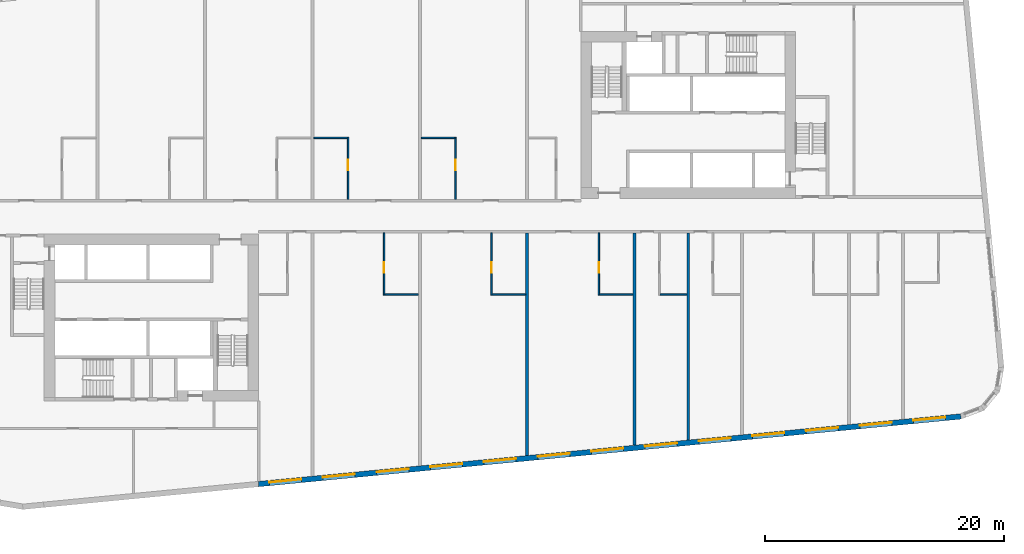
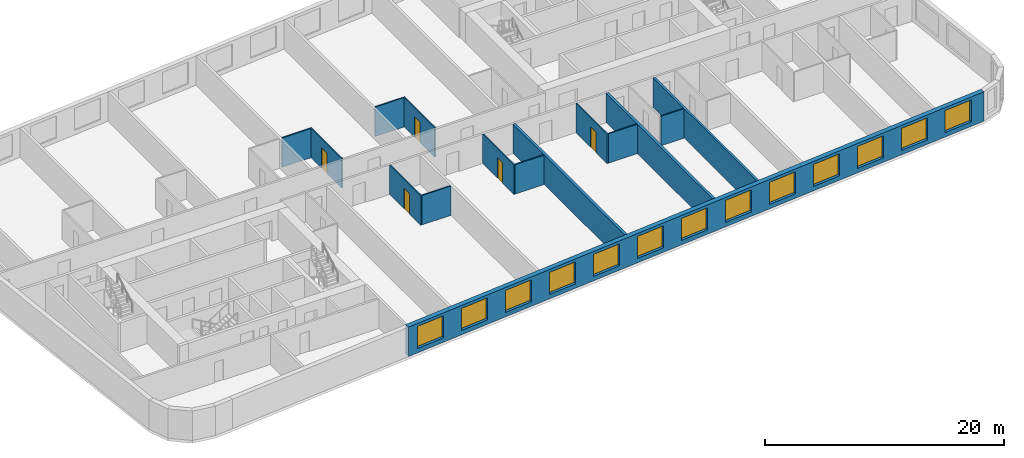
# One storey, part 4 of 12: 15 walls, 13 windows, 5 doors, 18 openings.
"""IFC4 building model written with IfcOpenShell, lengths in metres."""

from ifc_helpers import new_model, si_unit, direction, frame, frame_2d, origin, place, context, subcontext, project, spatial, rectangle, extrude, material, layer, layer_set, type_object, element, fill, save


model = new_model("IFC4")

# Units and contexts
model_context = context("Model", 3, precision=1e-05, world=origin(), true_north=direction((0.0, 1.0)))
body_context = subcontext(model_context, "Body", "Model", "MODEL_VIEW")
ifc_project = project(units=[si_unit("LENGTHUNIT", "METRE"), si_unit("AREAUNIT", "SQUARE_METRE"), si_unit("VOLUMEUNIT", "CUBIC_METRE"), si_unit("PLANEANGLEUNIT", "RADIAN"), si_unit("MASSUNIT", "GRAM", prefix="KILO")], contexts=[model_context])

# Site, building, storey
site_placement = place(None, origin())
site = spatial("IfcSite", under=ifc_project, at=site_placement, CompositionType="ELEMENT")
building_placement = place(site_placement, origin())
building = spatial("IfcBuilding", under=site, at=building_placement, Name="Kajstack Hotel Tower", CompositionType="ELEMENT")
storey_placement = place(building_placement, frame((0.0, 0.0, 147.10009765625)))
storey = spatial("IfcBuildingStorey", under=building, at=storey_placement, Name="L34", CompositionType="ELEMENT", Elevation=147.10009765625)

# Wall
ifc_material_1 = material(Name="Twin-frame gypsum board on steel studs, mineral wool", Category="steel")
ifc_layer_1 = layer(ifc_material_1, 0.199951171875)
ifc_layer_set_1 = layer_set([ifc_layer_1], Name="Demising wall 200")
wall_type_1 = type_object("IfcWallType", Name="Demising wall 200", PredefinedType="PARTITIONING", material=ifc_layer_set_1)
wall_1_placement = place(storey_placement, frame((22.5, -18.76611328125, 0.0), z_axis=(0.0, 0.0, 1.0), x_axis=(0.0, 1.0, 0.0)))
element("IfcWall", 1, at=wall_1_placement, inside=storey, type_object=wall_type_1, Name="G-wall-L34-027", PredefinedType="PARTITIONING", context=body_context, shape_type="SweptSolid", body=[
    extrude(rectangle(XDim=17.3662109375, YDim=0.199951171875, at=frame_2d((8.68310546875, 0.0))), origin(), (0.0, 0.0, 1.0), 3.0),
])

# Wall, openings, windows
ifc_material_2 = material(Name="Terracotta-faced brick masonry", Category="masonry")
ifc_layer_2 = layer(ifc_material_2, 0.449951171875)
ifc_layer_set_2 = layer_set([ifc_layer_2], Name="EW-TERRA")
wall_type_2 = type_object("IfcWallType", Name="EW-TERRA", PredefinedType="SOLIDWALL", material=ifc_layer_set_2)
wall_2_placement = place(storey_placement, frame((-13.521484375, -22.46044921875, 0.0), z_axis=(0.0, 0.0, 1.0), x_axis=(0.995396096335, 0.095846812164, 0.0)))
wall_2 = element("IfcWall", 2, at=wall_2_placement, inside=storey, type_object=wall_type_2, Name="E-wall-L34-04-02", PredefinedType="SOLIDWALL", context=body_context, shape_type="SweptSolid", body=[
    extrude(rectangle(XDim=59.15087890625, YDim=0.449951171875, at=frame_2d((29.575439453125, 0.0))), origin(), (0.0, 0.0, 1.0), 3.0),
])
opening_1_placement = place(wall_2_placement, frame((0.910400390625, 0.0, 0.449951171875)))
opening_1 = element("IfcOpeningElement", 3, at=opening_1_placement, cuts=wall_2, Name="Opening W1", PredefinedType="OPENING", context=body_context, shape_type="SweptSolid", body=[
    extrude(rectangle(XDim=2.699951171875, YDim=2.25, at=frame_2d((1.35009765625, 1.125))), frame((0.0, 0.23486328125, 0.0), z_axis=(0.0, -1.0, 0.0), x_axis=(1.0, 0.0, 0.0)), (0.0, 0.0, 1.0), 0.469970703125),
])
opening_2_placement = place(wall_2_placement, frame((5.43115234375, 0.0, 0.449951171875)))
opening_2 = element("IfcOpeningElement", 4, at=opening_2_placement, cuts=wall_2, Name="Opening W1", PredefinedType="OPENING", context=body_context, shape_type="SweptSolid", body=[
    extrude(rectangle(XDim=2.699951171875, YDim=2.25, at=frame_2d((1.35009765625, 1.125))), frame((0.0, 0.23486328125, 0.0), z_axis=(0.0, -1.0, 0.0), x_axis=(1.0, 0.0, 0.0)), (0.0, 0.0, 1.0), 0.469970703125),
])
opening_3_placement = place(wall_2_placement, frame((9.951904296875, 0.0, 0.449951171875)))
opening_3 = element("IfcOpeningElement", 5, at=opening_3_placement, cuts=wall_2, Name="Opening W1", PredefinedType="OPENING", context=body_context, shape_type="SweptSolid", body=[
    extrude(rectangle(XDim=2.699951171875, YDim=2.25, at=frame_2d((1.35009765625, 1.125))), frame((0.0, 0.23486328125, 0.0), z_axis=(0.0, -1.0, 0.0), x_axis=(1.0, 0.0, 0.0)), (0.0, 0.0, 1.0), 0.469970703125),
])
opening_4_placement = place(wall_2_placement, frame((14.472900390625, 0.0, 0.449951171875)))
opening_4 = element("IfcOpeningElement", 6, at=opening_4_placement, cuts=wall_2, Name="Opening W1", PredefinedType="OPENING", context=body_context, shape_type="SweptSolid", body=[
    extrude(rectangle(XDim=2.699951171875, YDim=2.25, at=frame_2d((1.35009765625, 1.125))), frame((0.0, 0.23486328125, 0.0), z_axis=(0.0, -1.0, 0.0), x_axis=(1.0, 0.0, 0.0)), (0.0, 0.0, 1.0), 0.469970703125),
])
opening_5_placement = place(wall_2_placement, frame((18.99365234375, 0.0, 0.449951171875)))
opening_5 = element("IfcOpeningElement", 7, at=opening_5_placement, cuts=wall_2, Name="Opening W1", PredefinedType="OPENING", context=body_context, shape_type="SweptSolid", body=[
    extrude(rectangle(XDim=2.699951171875, YDim=2.25, at=frame_2d((1.35009765625, 1.125))), frame((0.0, 0.23486328125, 0.0), z_axis=(0.0, -1.0, 0.0), x_axis=(1.0, 0.0, 0.0)), (0.0, 0.0, 1.0), 0.469970703125),
])
opening_6_placement = place(wall_2_placement, frame((23.514404296875, 0.0, 0.449951171875)))
opening_6 = element("IfcOpeningElement", 8, at=opening_6_placement, cuts=wall_2, Name="Opening W1", PredefinedType="OPENING", context=body_context, shape_type="SweptSolid", body=[
    extrude(rectangle(XDim=2.699951171875, YDim=2.25, at=frame_2d((1.35009765625, 1.125))), frame((0.0, 0.23486328125, 0.0), z_axis=(0.0, -1.0, 0.0), x_axis=(1.0, 0.0, 0.0)), (0.0, 0.0, 1.0), 0.469970703125),
])
opening_7_placement = place(wall_2_placement, frame((28.035400390625, 0.0, 0.449951171875)))
opening_7 = element("IfcOpeningElement", 9, at=opening_7_placement, cuts=wall_2, Name="Opening W1", PredefinedType="OPENING", context=body_context, shape_type="SweptSolid", body=[
    extrude(rectangle(XDim=2.699951171875, YDim=2.25, at=frame_2d((1.35009765625, 1.125))), frame((0.0, 0.23486328125, 0.0), z_axis=(0.0, -1.0, 0.0), x_axis=(1.0, 0.0, 0.0)), (0.0, 0.0, 1.0), 0.469970703125),
])
opening_8_placement = place(wall_2_placement, frame((32.55615234375, 0.0, 0.449951171875)))
opening_8 = element("IfcOpeningElement", 10, at=opening_8_placement, cuts=wall_2, Name="Opening W1", PredefinedType="OPENING", context=body_context, shape_type="SweptSolid", body=[
    extrude(rectangle(XDim=2.699951171875, YDim=2.25, at=frame_2d((1.35009765625, 1.125))), frame((0.0, 0.23486328125, 0.0), z_axis=(0.0, -1.0, 0.0), x_axis=(1.0, 0.0, 0.0)), (0.0, 0.0, 1.0), 0.469970703125),
])
opening_9_placement = place(wall_2_placement, frame((37.076904296875, 0.0, 0.449951171875)))
opening_9 = element("IfcOpeningElement", 11, at=opening_9_placement, cuts=wall_2, Name="Opening W1", PredefinedType="OPENING", context=body_context, shape_type="SweptSolid", body=[
    extrude(rectangle(XDim=2.699951171875, YDim=2.25, at=frame_2d((1.35009765625, 1.125))), frame((0.0, 0.23486328125, 0.0), z_axis=(0.0, -1.0, 0.0), x_axis=(1.0, 0.0, 0.0)), (0.0, 0.0, 1.0), 0.469970703125),
])
opening_10_placement = place(wall_2_placement, frame((41.59765625, 0.0, 0.449951171875)))
opening_10 = element("IfcOpeningElement", 12, at=opening_10_placement, cuts=wall_2, Name="Opening W1", PredefinedType="OPENING", context=body_context, shape_type="SweptSolid", body=[
    extrude(rectangle(XDim=2.699951171875, YDim=2.25, at=frame_2d((1.35009765625, 1.125))), frame((0.0, 0.23486328125, 0.0), z_axis=(0.0, -1.0, 0.0), x_axis=(1.0, 0.0, 0.0)), (0.0, 0.0, 1.0), 0.469970703125),
])
opening_11_placement = place(wall_2_placement, frame((46.118408203125, 0.0, 0.449951171875)))
opening_11 = element("IfcOpeningElement", 13, at=opening_11_placement, cuts=wall_2, Name="Opening W1", PredefinedType="OPENING", context=body_context, shape_type="SweptSolid", body=[
    extrude(rectangle(XDim=2.699951171875, YDim=2.25, at=frame_2d((1.35009765625, 1.125))), frame((0.0, 0.23486328125, 0.0), z_axis=(0.0, -1.0, 0.0), x_axis=(1.0, 0.0, 0.0)), (0.0, 0.0, 1.0), 0.469970703125),
])
opening_12_placement = place(wall_2_placement, frame((50.639404296875, 0.0, 0.449951171875)))
opening_12 = element("IfcOpeningElement", 14, at=opening_12_placement, cuts=wall_2, Name="Opening W1", PredefinedType="OPENING", context=body_context, shape_type="SweptSolid", body=[
    extrude(rectangle(XDim=2.699951171875, YDim=2.25, at=frame_2d((1.35009765625, 1.125))), frame((0.0, 0.23486328125, 0.0), z_axis=(0.0, -1.0, 0.0), x_axis=(1.0, 0.0, 0.0)), (0.0, 0.0, 1.0), 0.469970703125),
])
opening_13_placement = place(wall_2_placement, frame((55.149658203125, 0.0, 0.449951171875)))
opening_13 = element("IfcOpeningElement", 15, at=opening_13_placement, cuts=wall_2, Name="Opening W1", PredefinedType="OPENING", context=body_context, shape_type="SweptSolid", body=[
    extrude(rectangle(XDim=2.699951171875, YDim=2.25, at=frame_2d((1.35009765625, 1.125))), frame((0.0, 0.23486328125, 0.0), z_axis=(0.0, -1.0, 0.0), x_axis=(1.0, 0.0, 0.0)), (0.0, 0.0, 1.0), 0.469970703125),
])
ifc_material_3 = material(Name="Timber-aluminium window, triple glazed", Category="wood")
window_type = type_object("IfcWindowType", Name="WG1", PartitioningType="SINGLE_PANEL", PredefinedType="WINDOW", material=ifc_material_3)
window_1_placement = place(opening_1_placement, origin())
window_1 = element("IfcWindow", 16, at=window_1_placement, inside=storey, type_object=window_type, Name="Window W1 L34-04", OverallHeight=2.25, OverallWidth=2.699951171875, PartitioningType="SINGLE_PANEL", PredefinedType="WINDOW", context=body_context, shape_type="SweptSolid", body=[
    extrude(rectangle(XDim=2.699951171875, YDim=2.25, at=frame_2d((1.35009765625, 1.125))), frame((0.0, 0.090087890625, 0.0), z_axis=(0.0, -1.0, 0.0), x_axis=(1.0, 0.0, 0.0)), (0.0, 0.0, 1.0), 0.06005859375),
])
fill(opening_1, window_1)
window_2_placement = place(opening_2_placement, origin())
window_2 = element("IfcWindow", 17, at=window_2_placement, inside=storey, type_object=window_type, Name="Window W1 L34-04", OverallHeight=2.25, OverallWidth=2.699951171875, PartitioningType="SINGLE_PANEL", PredefinedType="WINDOW", context=body_context, shape_type="SweptSolid", body=[
    extrude(rectangle(XDim=2.699951171875, YDim=2.25, at=frame_2d((1.35009765625, 1.125))), frame((0.0, 0.090087890625, 0.0), z_axis=(0.0, -1.0, 0.0), x_axis=(1.0, 0.0, 0.0)), (0.0, 0.0, 1.0), 0.06005859375),
])
fill(opening_2, window_2)
window_3_placement = place(opening_3_placement, origin())
window_3 = element("IfcWindow", 18, at=window_3_placement, inside=storey, type_object=window_type, Name="Window W1 L34-04", OverallHeight=2.25, OverallWidth=2.699951171875, PartitioningType="SINGLE_PANEL", PredefinedType="WINDOW", context=body_context, shape_type="SweptSolid", body=[
    extrude(rectangle(XDim=2.699951171875, YDim=2.25, at=frame_2d((1.35009765625, 1.125))), frame((0.0, 0.090087890625, 0.0), z_axis=(0.0, -1.0, 0.0), x_axis=(1.0, 0.0, 0.0)), (0.0, 0.0, 1.0), 0.06005859375),
])
fill(opening_3, window_3)
window_4_placement = place(opening_4_placement, origin())
window_4 = element("IfcWindow", 19, at=window_4_placement, inside=storey, type_object=window_type, Name="Window W1 L34-04", OverallHeight=2.25, OverallWidth=2.699951171875, PartitioningType="SINGLE_PANEL", PredefinedType="WINDOW", context=body_context, shape_type="SweptSolid", body=[
    extrude(rectangle(XDim=2.699951171875, YDim=2.25, at=frame_2d((1.35009765625, 1.125))), frame((0.0, 0.090087890625, 0.0), z_axis=(0.0, -1.0, 0.0), x_axis=(1.0, 0.0, 0.0)), (0.0, 0.0, 1.0), 0.06005859375),
])
fill(opening_4, window_4)
window_5_placement = place(opening_5_placement, origin())
window_5 = element("IfcWindow", 20, at=window_5_placement, inside=storey, type_object=window_type, Name="Window W1 L34-04", OverallHeight=2.25, OverallWidth=2.699951171875, PartitioningType="SINGLE_PANEL", PredefinedType="WINDOW", context=body_context, shape_type="SweptSolid", body=[
    extrude(rectangle(XDim=2.699951171875, YDim=2.25, at=frame_2d((1.35009765625, 1.125))), frame((0.0, 0.090087890625, 0.0), z_axis=(0.0, -1.0, 0.0), x_axis=(1.0, 0.0, 0.0)), (0.0, 0.0, 1.0), 0.06005859375),
])
fill(opening_5, window_5)
window_6_placement = place(opening_6_placement, origin())
window_6 = element("IfcWindow", 21, at=window_6_placement, inside=storey, type_object=window_type, Name="Window W1 L34-04", OverallHeight=2.25, OverallWidth=2.699951171875, PartitioningType="SINGLE_PANEL", PredefinedType="WINDOW", context=body_context, shape_type="SweptSolid", body=[
    extrude(rectangle(XDim=2.699951171875, YDim=2.25, at=frame_2d((1.35009765625, 1.125))), frame((0.0, 0.090087890625, 0.0), z_axis=(0.0, -1.0, 0.0), x_axis=(1.0, 0.0, 0.0)), (0.0, 0.0, 1.0), 0.06005859375),
])
fill(opening_6, window_6)
window_7_placement = place(opening_7_placement, origin())
window_7 = element("IfcWindow", 22, at=window_7_placement, inside=storey, type_object=window_type, Name="Window W1 L34-04", OverallHeight=2.25, OverallWidth=2.699951171875, PartitioningType="SINGLE_PANEL", PredefinedType="WINDOW", context=body_context, shape_type="SweptSolid", body=[
    extrude(rectangle(XDim=2.699951171875, YDim=2.25, at=frame_2d((1.35009765625, 1.125))), frame((0.0, 0.090087890625, 0.0), z_axis=(0.0, -1.0, 0.0), x_axis=(1.0, 0.0, 0.0)), (0.0, 0.0, 1.0), 0.06005859375),
])
fill(opening_7, window_7)
window_8_placement = place(opening_8_placement, origin())
window_8 = element("IfcWindow", 23, at=window_8_placement, inside=storey, type_object=window_type, Name="Window W1 L34-04", OverallHeight=2.25, OverallWidth=2.699951171875, PartitioningType="SINGLE_PANEL", PredefinedType="WINDOW", context=body_context, shape_type="SweptSolid", body=[
    extrude(rectangle(XDim=2.699951171875, YDim=2.25, at=frame_2d((1.35009765625, 1.125))), frame((0.0, 0.090087890625, 0.0), z_axis=(0.0, -1.0, 0.0), x_axis=(1.0, 0.0, 0.0)), (0.0, 0.0, 1.0), 0.06005859375),
])
fill(opening_8, window_8)
window_9_placement = place(opening_9_placement, origin())
window_9 = element("IfcWindow", 24, at=window_9_placement, inside=storey, type_object=window_type, Name="Window W1 L34-04", OverallHeight=2.25, OverallWidth=2.699951171875, PartitioningType="SINGLE_PANEL", PredefinedType="WINDOW", context=body_context, shape_type="SweptSolid", body=[
    extrude(rectangle(XDim=2.699951171875, YDim=2.25, at=frame_2d((1.35009765625, 1.125))), frame((0.0, 0.090087890625, 0.0), z_axis=(0.0, -1.0, 0.0), x_axis=(1.0, 0.0, 0.0)), (0.0, 0.0, 1.0), 0.06005859375),
])
fill(opening_9, window_9)
window_10_placement = place(opening_10_placement, origin())
window_10 = element("IfcWindow", 25, at=window_10_placement, inside=storey, type_object=window_type, Name="Window W1 L34-04", OverallHeight=2.25, OverallWidth=2.699951171875, PartitioningType="SINGLE_PANEL", PredefinedType="WINDOW", context=body_context, shape_type="SweptSolid", body=[
    extrude(rectangle(XDim=2.699951171875, YDim=2.25, at=frame_2d((1.35009765625, 1.125))), frame((0.0, 0.090087890625, 0.0), z_axis=(0.0, -1.0, 0.0), x_axis=(1.0, 0.0, 0.0)), (0.0, 0.0, 1.0), 0.06005859375),
])
fill(opening_10, window_10)
window_11_placement = place(opening_11_placement, origin())
window_11 = element("IfcWindow", 26, at=window_11_placement, inside=storey, type_object=window_type, Name="Window W1 L34-04", OverallHeight=2.25, OverallWidth=2.699951171875, PartitioningType="SINGLE_PANEL", PredefinedType="WINDOW", context=body_context, shape_type="SweptSolid", body=[
    extrude(rectangle(XDim=2.699951171875, YDim=2.25, at=frame_2d((1.35009765625, 1.125))), frame((0.0, 0.090087890625, 0.0), z_axis=(0.0, -1.0, 0.0), x_axis=(1.0, 0.0, 0.0)), (0.0, 0.0, 1.0), 0.06005859375),
])
fill(opening_11, window_11)
window_12_placement = place(opening_12_placement, origin())
window_12 = element("IfcWindow", 27, at=window_12_placement, inside=storey, type_object=window_type, Name="Window W1 L34-04", OverallHeight=2.25, OverallWidth=2.699951171875, PartitioningType="SINGLE_PANEL", PredefinedType="WINDOW", context=body_context, shape_type="SweptSolid", body=[
    extrude(rectangle(XDim=2.699951171875, YDim=2.25, at=frame_2d((1.35009765625, 1.125))), frame((0.0, 0.090087890625, 0.0), z_axis=(0.0, -1.0, 0.0), x_axis=(1.0, 0.0, 0.0)), (0.0, 0.0, 1.0), 0.06005859375),
])
fill(opening_12, window_12)
window_13_placement = place(opening_13_placement, origin())
window_13 = element("IfcWindow", 28, at=window_13_placement, inside=storey, type_object=window_type, Name="Window W1 L34-04", OverallHeight=2.25, OverallWidth=2.699951171875, PartitioningType="SINGLE_PANEL", PredefinedType="WINDOW", context=body_context, shape_type="SweptSolid", body=[
    extrude(rectangle(XDim=2.699951171875, YDim=2.25, at=frame_2d((1.35009765625, 1.125))), frame((0.0, 0.090087890625, 0.0), z_axis=(0.0, -1.0, 0.0), x_axis=(1.0, 0.0, 0.0)), (0.0, 0.0, 1.0), 0.06005859375),
])
fill(opening_13, window_13)

# Wall, opening, door
ifc_material_4 = material(Name="Gypsum board and tiled backer on steel studs", Category="steel")
ifc_layer_3 = layer(ifc_material_4, 0.125)
ifc_layer_set_3 = layer_set([ifc_layer_3], Name="En-suite wall 125")
wall_type_3 = type_object("IfcWallType", Name="En-suite wall 125", PredefinedType="PARTITIONING", material=ifc_layer_set_3)
wall_3_placement = place(storey_placement, frame((-6.012939453125, 1.39990234375, 0.0), z_axis=(0.0, 0.0, 1.0), x_axis=(0.0, 1.0, 0.0)))
wall_3 = element("IfcWall", 29, at=wall_3_placement, inside=storey, type_object=wall_type_3, Name="G-wall-L34-012", PredefinedType="PARTITIONING", context=body_context, shape_type="SweptSolid", body=[
    extrude(rectangle(XDim=5.22509765625, YDim=0.125, at=frame_2d((2.612548828125, 0.0))), origin(), (0.0, 0.0, 1.0), 3.0),
])
opening_14_placement = place(wall_3_placement, frame((2.449951171875, 0.0, 0.0)))
opening_14 = element("IfcOpeningElement", 30, at=opening_14_placement, cuts=wall_3, Name="Opening 34010", PredefinedType="OPENING", context=body_context, shape_type="SweptSolid", body=[
    extrude(rectangle(XDim=0.89990234375, YDim=2.10009765625, at=frame_2d((0.449951171875, 1.050048828125))), frame((0.0, 0.072509765625, 0.0), z_axis=(0.0, -1.0, 0.0), x_axis=(1.0, 0.0, 0.0)), (0.0, 0.0, 1.0), 0.14501953125),
])
ifc_material_5 = material(Name="Painted timber door leaf", Category="wood")
door_type = type_object("IfcDoorType", Name="Room door 900", OperationType="SINGLE_SWING_LEFT", PredefinedType="DOOR", material=ifc_material_5)
door_1_placement = place(opening_14_placement, origin())
door_1 = element("IfcDoor", 31, at=door_1_placement, inside=storey, type_object=door_type, Name="G-door-L34-10", OperationType="SINGLE_SWING_RIGHT", OverallHeight=2.10009765625, OverallWidth=0.89990234375, PredefinedType="DOOR", context=body_context, shape_type="SweptSolid", body=[
    extrude(rectangle(XDim=0.89990234375, YDim=2.10009765625, at=frame_2d((0.449951171875, 1.050048828125))), frame((0.0, 0.02490234375, 0.0), z_axis=(0.0, -1.0, 0.0), x_axis=(1.0, 0.0, 0.0)), (0.0, 0.0, 1.0), 0.050048828125),
])
fill(opening_14, door_1)

# Wall
wall_4_placement = place(storey_placement, frame((-8.875, 6.56201171875, 0.0), z_axis=(0.0, 0.0, 1.0), x_axis=(1.0, 0.0, 0.0)))
element("IfcWall", 32, at=wall_4_placement, inside=storey, type_object=wall_type_3, Name="G-wall-L34-013", PredefinedType="PARTITIONING", context=body_context, shape_type="SweptSolid", body=[
    extrude(rectangle(XDim=2.800048828125, YDim=0.125, at=frame_2d((1.39990234375, 0.0))), origin(), (0.0, 0.0, 1.0), 3.0),
])

# Wall, opening, door
wall_5_placement = place(storey_placement, frame((2.987060546875, 1.39990234375, 0.0), z_axis=(0.0, 0.0, 1.0), x_axis=(0.0, 1.0, 0.0)))
wall_5 = element("IfcWall", 33, at=wall_5_placement, inside=storey, type_object=wall_type_3, Name="G-wall-L34-014", PredefinedType="PARTITIONING", context=body_context, shape_type="SweptSolid", body=[
    extrude(rectangle(XDim=5.22509765625, YDim=0.125, at=frame_2d((2.612548828125, 0.0))), origin(), (0.0, 0.0, 1.0), 3.0),
])
opening_15_placement = place(wall_5_placement, frame((2.449951171875, 0.0, 0.0)))
opening_15 = element("IfcOpeningElement", 34, at=opening_15_placement, cuts=wall_5, Name="Opening 34012", PredefinedType="OPENING", context=body_context, shape_type="SweptSolid", body=[
    extrude(rectangle(XDim=0.89990234375, YDim=2.10009765625, at=frame_2d((0.449951171875, 1.050048828125))), frame((0.0, 0.072509765625, 0.0), z_axis=(0.0, -1.0, 0.0), x_axis=(1.0, 0.0, 0.0)), (0.0, 0.0, 1.0), 0.14501953125),
])
door_2_placement = place(opening_15_placement, origin())
door_2 = element("IfcDoor", 35, at=door_2_placement, inside=storey, type_object=door_type, Name="G-door-L34-12", OperationType="SINGLE_SWING_LEFT", OverallHeight=2.10009765625, OverallWidth=0.89990234375, PredefinedType="DOOR", context=body_context, shape_type="SweptSolid", body=[
    extrude(rectangle(XDim=0.89990234375, YDim=2.10009765625, at=frame_2d((0.449951171875, 1.050048828125))), frame((0.0, 0.02490234375, 0.0), z_axis=(0.0, -1.0, 0.0), x_axis=(1.0, 0.0, 0.0)), (0.0, 0.0, 1.0), 0.050048828125),
])
fill(opening_15, door_2)

# Wall
wall_6_placement = place(storey_placement, frame((0.125, 6.56201171875, 0.0), z_axis=(0.0, 0.0, 1.0), x_axis=(1.0, 0.0, 0.0)))
element("IfcWall", 36, at=wall_6_placement, inside=storey, type_object=wall_type_3, Name="G-wall-L34-015", PredefinedType="PARTITIONING", context=body_context, shape_type="SweptSolid", body=[
    extrude(rectangle(XDim=2.800048828125, YDim=0.125, at=frame_2d((1.39990234375, 0.0))), origin(), (0.0, 0.0, 1.0), 3.0),
])

# Wall, opening, door
wall_7_placement = place(storey_placement, frame((-2.987060546875, -6.625, 0.0), z_axis=(0.0, 0.0, 1.0), x_axis=(0.0, 1.0, 0.0)))
wall_7 = element("IfcWall", 37, at=wall_7_placement, inside=storey, type_object=wall_type_3, Name="G-wall-L34-021", PredefinedType="PARTITIONING", context=body_context, shape_type="SweptSolid", body=[
    extrude(rectangle(XDim=5.22509765625, YDim=0.125, at=frame_2d((2.612548828125, 0.0))), origin(), (0.0, 0.0, 1.0), 3.0),
])
opening_16_placement = place(wall_7_placement, frame((1.875, 0.0, 0.0)))
opening_16 = element("IfcOpeningElement", 38, at=opening_16_placement, cuts=wall_7, Name="Opening 34018", PredefinedType="OPENING", context=body_context, shape_type="SweptSolid", body=[
    extrude(rectangle(XDim=0.89990234375, YDim=2.10009765625, at=frame_2d((0.449951171875, 1.050048828125))), frame((0.0, 0.072509765625, 0.0), z_axis=(0.0, -1.0, 0.0), x_axis=(1.0, 0.0, 0.0)), (0.0, 0.0, 1.0), 0.14501953125),
])
door_3_placement = place(opening_16_placement, origin())
door_3 = element("IfcDoor", 39, at=door_3_placement, inside=storey, type_object=door_type, Name="G-door-L34-18", OperationType="SINGLE_SWING_LEFT", OverallHeight=2.10009765625, OverallWidth=0.89990234375, PredefinedType="DOOR", context=body_context, shape_type="SweptSolid", body=[
    extrude(rectangle(XDim=0.89990234375, YDim=2.10009765625, at=frame_2d((0.449951171875, 1.050048828125))), frame((0.0, 0.02490234375, 0.0), z_axis=(0.0, -1.0, 0.0), x_axis=(1.0, 0.0, 0.0)), (0.0, 0.0, 1.0), 0.050048828125),
])
fill(opening_16, door_3)

# Wall
wall_8_placement = place(storey_placement, frame((-2.925048828125, -6.56201171875, 0.0), z_axis=(0.0, 0.0, 1.0), x_axis=(1.0, 0.0, 0.0)))
element("IfcWall", 40, at=wall_8_placement, inside=storey, type_object=wall_type_3, Name="G-wall-L34-022", PredefinedType="PARTITIONING", context=body_context, shape_type="SweptSolid", body=[
    extrude(rectangle(XDim=2.800048828125, YDim=0.125, at=frame_2d((1.39990234375, 0.0))), origin(), (0.0, 0.0, 1.0), 3.0),
])

# Wall, opening, door
wall_9_placement = place(storey_placement, frame((6.012939453125, -6.625, 0.0), z_axis=(0.0, 0.0, 1.0), x_axis=(0.0, 1.0, 0.0)))
wall_9 = element("IfcWall", 41, at=wall_9_placement, inside=storey, type_object=wall_type_3, Name="G-wall-L34-023", PredefinedType="PARTITIONING", context=body_context, shape_type="SweptSolid", body=[
    extrude(rectangle(XDim=5.22509765625, YDim=0.125, at=frame_2d((2.612548828125, 0.0))), origin(), (0.0, 0.0, 1.0), 3.0),
])
opening_17_placement = place(wall_9_placement, frame((1.875, 0.0, 0.0)))
opening_17 = element("IfcOpeningElement", 42, at=opening_17_placement, cuts=wall_9, Name="Opening 34020", PredefinedType="OPENING", context=body_context, shape_type="SweptSolid", body=[
    extrude(rectangle(XDim=0.89990234375, YDim=2.10009765625, at=frame_2d((0.449951171875, 1.050048828125))), frame((0.0, 0.072509765625, 0.0), z_axis=(0.0, -1.0, 0.0), x_axis=(1.0, 0.0, 0.0)), (0.0, 0.0, 1.0), 0.14501953125),
])
door_4_placement = place(opening_17_placement, origin())
door_4 = element("IfcDoor", 43, at=door_4_placement, inside=storey, type_object=door_type, Name="G-door-L34-20", OperationType="SINGLE_SWING_RIGHT", OverallHeight=2.10009765625, OverallWidth=0.89990234375, PredefinedType="DOOR", context=body_context, shape_type="SweptSolid", body=[
    extrude(rectangle(XDim=0.89990234375, YDim=2.10009765625, at=frame_2d((0.449951171875, 1.050048828125))), frame((0.0, 0.02490234375, 0.0), z_axis=(0.0, -1.0, 0.0), x_axis=(1.0, 0.0, 0.0)), (0.0, 0.0, 1.0), 0.050048828125),
])
fill(opening_17, door_4)

# Wall
wall_10_placement = place(storey_placement, frame((6.074951171875, -6.56201171875, 0.0), z_axis=(0.0, 0.0, 1.0), x_axis=(1.0, 0.0, 0.0)))
element("IfcWall", 44, at=wall_10_placement, inside=storey, type_object=wall_type_3, Name="G-wall-L34-024", PredefinedType="PARTITIONING", context=body_context, shape_type="SweptSolid", body=[
    extrude(rectangle(XDim=2.800048828125, YDim=0.125, at=frame_2d((1.39990234375, 0.0))), origin(), (0.0, 0.0, 1.0), 3.0),
])

# Wall, opening, door
wall_11_placement = place(storey_placement, frame((15.011962890625, -6.625, 0.0), z_axis=(0.0, 0.0, 1.0), x_axis=(0.0, 1.0, 0.0)))
wall_11 = element("IfcWall", 45, at=wall_11_placement, inside=storey, type_object=wall_type_3, Name="G-wall-L34-025", PredefinedType="PARTITIONING", context=body_context, shape_type="SweptSolid", body=[
    extrude(rectangle(XDim=5.22509765625, YDim=0.125, at=frame_2d((2.612548828125, 0.0))), origin(), (0.0, 0.0, 1.0), 3.0),
])
opening_18_placement = place(wall_11_placement, frame((1.875, 0.0, 0.0)))
opening_18 = element("IfcOpeningElement", 46, at=opening_18_placement, cuts=wall_11, Name="Opening 34022", PredefinedType="OPENING", context=body_context, shape_type="SweptSolid", body=[
    extrude(rectangle(XDim=0.89990234375, YDim=2.10009765625, at=frame_2d((0.449951171875, 1.050048828125))), frame((0.0, 0.072509765625, 0.0), z_axis=(0.0, -1.0, 0.0), x_axis=(1.0, 0.0, 0.0)), (0.0, 0.0, 1.0), 0.14501953125),
])
door_5_placement = place(opening_18_placement, origin())
door_5 = element("IfcDoor", 47, at=door_5_placement, inside=storey, type_object=door_type, Name="G-door-L34-22", OperationType="SINGLE_SWING_LEFT", OverallHeight=2.10009765625, OverallWidth=0.89990234375, PredefinedType="DOOR", context=body_context, shape_type="SweptSolid", body=[
    extrude(rectangle(XDim=0.89990234375, YDim=2.10009765625, at=frame_2d((0.449951171875, 1.050048828125))), frame((0.0, 0.02490234375, 0.0), z_axis=(0.0, -1.0, 0.0), x_axis=(1.0, 0.0, 0.0)), (0.0, 0.0, 1.0), 0.050048828125),
])
fill(opening_18, door_5)

# Walls
wall_12_placement = place(storey_placement, frame((15.074951171875, -6.56201171875, 0.0), z_axis=(0.0, 0.0, 1.0), x_axis=(1.0, 0.0, 0.0)))
element("IfcWall", 48, at=wall_12_placement, inside=storey, type_object=wall_type_3, Name="G-wall-L34-026", PredefinedType="PARTITIONING", context=body_context, shape_type="SweptSolid", body=[
    extrude(rectangle(XDim=2.800048828125, YDim=0.125, at=frame_2d((1.39990234375, 0.0))), origin(), (0.0, 0.0, 1.0), 3.0),
])
wall_13_placement = place(storey_placement, frame((20.14990234375, -6.56201171875, 0.0), z_axis=(0.0, 0.0, 1.0), x_axis=(1.0, 0.0, 0.0)))
element("IfcWall", 49, at=wall_13_placement, inside=storey, type_object=wall_type_3, Name="G-wall-L34-029", PredefinedType="PARTITIONING", context=body_context, shape_type="SweptSolid", body=[
    extrude(rectangle(XDim=2.25, YDim=0.125, at=frame_2d((1.125, 0.0))), origin(), (0.0, 0.0, 1.0), 3.0),
])
ifc_material_6 = material(Name="Concrete C55/67", Category="concrete")
ifc_layer_4 = layer(ifc_material_6, 0.25)
ifc_layer_set_4 = layer_set([ifc_layer_4], Name="RC cross wall 250 C55/67")
wall_type_4 = type_object("IfcWallType", Name="RC cross wall 250 C55/67", PredefinedType="SHEAR", material=ifc_layer_set_4)
wall_14_placement = place(storey_placement, frame((9.0, -20.043701171875, 0.0), z_axis=(0.0, 0.0, 1.0), x_axis=(0.0, 1.0, 0.0)))
element("IfcWall", 50, at=wall_14_placement, inside=storey, type_object=wall_type_4, Name="S-wall-L34-08", PredefinedType="SHEAR", context=body_context, shape_type="SweptSolid", body=[
    extrude(rectangle(XDim=18.643798828125, YDim=0.25, at=frame_2d((9.32177734375, 0.0))), origin(), (0.0, 0.0, 1.0), 3.0),
])
wall_15_placement = place(storey_placement, frame((18.0, -19.17724609375, 0.0), z_axis=(0.0, 0.0, 1.0), x_axis=(0.0, 1.0, 0.0)))
element("IfcWall", 51, at=wall_15_placement, inside=storey, type_object=wall_type_4, Name="S-wall-L34-10", PredefinedType="SHEAR", context=body_context, shape_type="SweptSolid", body=[
    extrude(rectangle(XDim=17.77734375, YDim=0.25, at=frame_2d((8.888671875, 0.0))), origin(), (0.0, 0.0, 1.0), 3.0),
])

save(model, "model.ifc")
